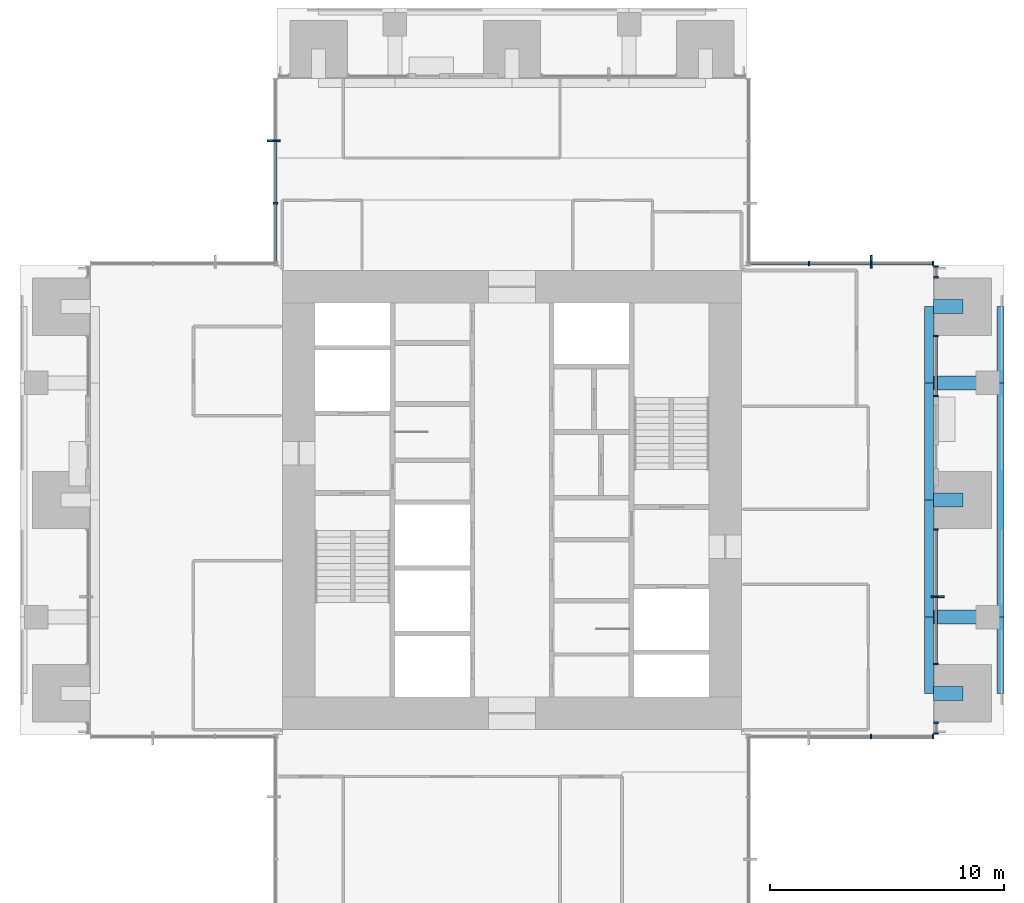
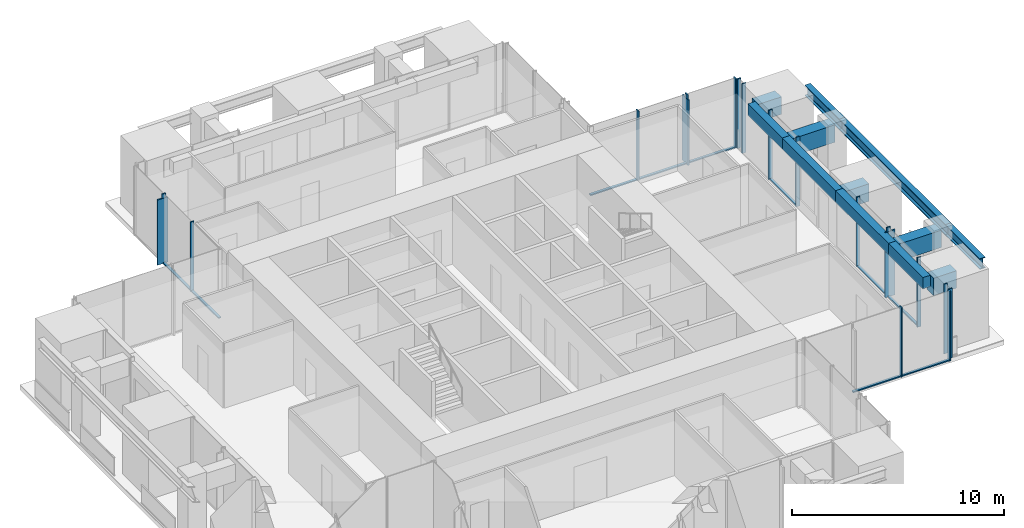
# One storey, part 4 of 17: 29 members, 12 beams, 7 elements without a shape of their own.
"""IFC4 building model written with IfcOpenShell, lengths in metres."""

import ifcopenshell
import ifcopenshell.guid

model = None  # the IFC model being written
_history = None  # IfcOwnerHistory: only IFC2X3 demands one
_inside = {}  # id of a spatial element -> (the spatial element, [elements in it])
_under = {}  # id of a project, library or spatial element -> (it, [spatial elements below it])
_declared = {}  # id of a project -> (the project, [libraries it declares])
_typed = {}  # id of a type object -> (the type object, [elements of that type])
_made_of = {}  # id of a material, layer set ... -> (it, [elements and type objects made of it])


def new_model(schema):
    """Start an empty IFC model of exactly this schema.

    Asked for "IFC4X3", IfcOpenShell would pick the latest addendum, in which some entities
    have other attributes; the version numbers below select the first issue.
    IFC2X3 requires an IfcOwnerHistory on every rooted entity: one is made here for all.
    """
    global model, _history
    if schema == "IFC4X3":
        model = ifcopenshell.file(schema_version=(4, 3, 0, 0))
    else:
        model = ifcopenshell.file(schema=schema)
    _inside.clear()
    _under.clear()
    _declared.clear()
    _typed.clear()
    _made_of.clear()
    _history = None
    if model.schema == "IFC2X3":
        org = make("IfcOrganization", Name="unknown")
        user = make(
            "IfcPersonAndOrganization",
            ThePerson=make("IfcPerson", FamilyName="unknown"),
            TheOrganization=org,
        )
        app = make(
            "IfcApplication",
            ApplicationDeveloper=org,
            Version="unknown",
            ApplicationFullName="unknown",
            ApplicationIdentifier="unknown",
        )
        _history = make(
            "IfcOwnerHistory",
            OwningUser=user,
            OwningApplication=app,
            ChangeAction="ADDED",
            CreationDate=0,
        )
    return model


def make(cls, **values):
    """One entity of the class cls with the attributes given. An attribute that is None is left unset."""
    return model.create_entity(
        cls, **{name: value for name, value in values.items() if value is not None}
    )


def rooted(cls, **values):
    """An entity with a GlobalId (a new one), such as an element, a storey or a relation."""
    return make(cls, GlobalId=ifcopenshell.guid.new(), OwnerHistory=_history, **values)


def si_unit(unit_type, name, prefix=None):
    """IfcSIUnit, for example si_unit("LENGTHUNIT", "METRE", prefix="MILLI")."""
    return make("IfcSIUnit", UnitType=unit_type, Prefix=prefix, Name=name)


def assignment(units):
    """IfcUnitAssignment: the units of a project."""
    return None if units is None else make("IfcUnitAssignment", Units=units)


def point(xyz):
    """IfcCartesianPoint."""
    return None if xyz is None else make("IfcCartesianPoint", Coordinates=xyz)


def direction(xyz):
    """IfcDirection."""
    return None if xyz is None else make("IfcDirection", DirectionRatios=xyz)


def frame(location, z_axis=None, x_axis=None):
    """IfcAxis2Placement3D, a coordinate frame: its origin and axes. An axis left out is left unset."""
    return make(
        "IfcAxis2Placement3D",
        Location=point(location),
        Axis=direction(z_axis),
        RefDirection=direction(x_axis),
    )


def frame_2d(location, x_axis=None):
    """IfcAxis2Placement2D, a coordinate frame in the plane: its origin and x axis."""
    return make(
        "IfcAxis2Placement2D", Location=point(location), RefDirection=direction(x_axis)
    )


def origin():
    """The frame at (0, 0, 0) with its axes left unset."""
    return frame((0.0, 0.0, 0.0))


def origin_2d():
    """The frame at (0, 0) in the plane with its x axis left unset."""
    return frame_2d((0.0, 0.0))


def place(relative_to, where):
    """IfcLocalPlacement: puts the frame where relative to a parent placement (None: the world)."""
    return make(
        "IfcLocalPlacement", PlacementRelTo=relative_to, RelativePlacement=where
    )


def context(
    kind, dimensions, precision=None, world=None, true_north=None, identifier=None
):
    """IfcGeometricRepresentationContext, for example the 3D "Model" context."""
    return make(
        "IfcGeometricRepresentationContext",
        ContextIdentifier=identifier,
        ContextType=kind,
        CoordinateSpaceDimension=dimensions,
        Precision=precision,
        WorldCoordinateSystem=world,
        TrueNorth=true_north,
    )


def subcontext(parent, identifier, kind, view, scale=None):
    """IfcGeometricRepresentationSubContext, for example "Body" below "Model"."""
    return make(
        "IfcGeometricRepresentationSubContext",
        ContextIdentifier=identifier,
        ContextType=kind,
        ParentContext=parent,
        TargetScale=scale,
        TargetView=view,
    )


def project(units=None, contexts=None):
    """IfcProject with its units and contexts."""
    return rooted(
        "IfcProject",
        Name="project",
        RepresentationContexts=contexts,
        UnitsInContext=assignment(units),
    )


def spatial(cls, under=None, at=None, **own):
    """A site, building, storey or space (cls), placed at a placement, below another one or the project."""
    s = rooted(cls, ObjectPlacement=at, **own)
    if under is not None:
        _under.setdefault(under.id(), (under, []))[1].append(s)
    return s


def profile(cls, at=None, kind="AREA", **sizes):
    """A parametric profile (cls). Its sizes go by their IFC names, for example OverallWidth=200.0."""
    return make(cls, ProfileType=kind, Position=at, **sizes)


def rectangle(**sizes):
    """IfcRectangleProfileDef."""
    return profile("IfcRectangleProfileDef", **sizes)


def i_section(**sizes):
    """IfcIShapeProfileDef."""
    return profile("IfcIShapeProfileDef", **sizes)


def extrude(swept, where, along, depth):
    """IfcExtrudedAreaSolid: the profile swept, set in the frame where, extruded along a direction by depth."""
    return make(
        "IfcExtrudedAreaSolid",
        SweptArea=swept,
        Position=where,
        ExtrudedDirection=direction(along),
        Depth=depth,
    )


def shape(context_of_items, identifier, shape_type, items):
    """IfcShapeRepresentation: the items that make up one representation, for example the "Body"."""
    return make(
        "IfcShapeRepresentation",
        ContextOfItems=context_of_items,
        RepresentationIdentifier=identifier,
        RepresentationType=shape_type,
        Items=items,
    )


def material(Name=None, Category=None):
    """IfcMaterial."""
    return make("IfcMaterial", Name=Name, Category=Category)


def material_profile(
    of_material, cross_section, Name=None, Category=None, Priority=None
):
    """IfcMaterialProfile: a cross section and its material."""
    return make(
        "IfcMaterialProfile",
        Name=Name,
        Material=of_material,
        Profile=cross_section,
        Priority=Priority,
        Category=Category,
    )


def profile_set(profiles, Name=None, composite=None):
    """IfcMaterialProfileSet."""
    return make(
        "IfcMaterialProfileSet",
        Name=Name,
        MaterialProfiles=profiles,
        CompositeProfile=composite,
    )


def made_of(thing, what):
    """Note that an element or type object is made of a material, layer set ...; save() writes the relation."""
    if what is not None:
        _made_of.setdefault(what.id(), (what, []))[1].append(thing)
    return thing


def type_object(cls, material=None, **own):
    """A type object (cls), such as IfcWallType, which elements share."""
    return made_of(rooted(cls, **own), material)


def element(
    cls,
    number,
    at=None,
    inside=None,
    cuts=None,
    type_object=None,
    material=None,
    context=None,
    identifier="Body",
    shape_type=None,
    held_by="IfcProductDefinitionShape",
    body=None,
    shapes=None,
    **own,
):
    """One element of the class cls, such as IfcWall. Its Tag is "e" and its number.

    at: its placement. inside: the storey or other place that contains it. cuts: it is an
    opening in that element (IfcRelVoidsElement). A single representation is given by context,
    identifier, shape_type and body (its items); several are given by shapes. held_by: the class
    of the entity that holds the representations. save() writes the other relations.
    """
    e = rooted(cls, Tag="e%d" % number, ObjectPlacement=at, **own)
    if body is not None:
        shapes = [shape(context, identifier, shape_type, body)]
    if shapes is not None:
        e.Representation = make(held_by, Representations=shapes)
    if inside is not None:
        _inside.setdefault(inside.id(), (inside, []))[1].append(e)
    if cuts is not None:
        rooted(
            "IfcRelVoidsElement", RelatingBuildingElement=cuts, RelatedOpeningElement=e
        )
    if type_object is not None:
        _typed.setdefault(type_object.id(), (type_object, []))[1].append(e)
    return made_of(e, material)


def aggregate(whole, parts):
    """IfcRelAggregates: a whole, such as a stair, and the parts it consists of."""
    return rooted("IfcRelAggregates", RelatingObject=whole, RelatedObjects=parts)


def save(model, path):
    """Write the relations noted so far, then the file.

    IfcRelAggregates (storeys below a building ...), IfcRelContainedInSpatialStructure (elements
    in a storey), IfcRelDefinesByType, IfcRelAssociatesMaterial and IfcRelDeclares: one each for
    every whole, place, type object, material and project.
    """
    for whole, parts in _under.values():
        aggregate(whole, parts)
    for where, things in _inside.values():
        rooted(
            "IfcRelContainedInSpatialStructure",
            RelatedElements=things,
            RelatingStructure=where,
        )
    for kind, things in _typed.values():
        rooted("IfcRelDefinesByType", RelatedObjects=things, RelatingType=kind)
    for what, things in _made_of.values():
        rooted("IfcRelAssociatesMaterial", RelatedObjects=things, RelatingMaterial=what)
    for by, libraries in _declared.values():
        rooted("IfcRelDeclares", RelatingContext=by, RelatedDefinitions=libraries)
    model.write(path)


model = new_model("IFC4")

# Units and contexts
model_context = context("Model", 3, precision=1e-05, world=origin(), true_north=direction((0.0, 1.0)))
body_context = subcontext(model_context, "Body", "Model", "MODEL_VIEW")
ifc_project = project(units=[si_unit("LENGTHUNIT", "METRE"), si_unit("AREAUNIT", "SQUARE_METRE"), si_unit("VOLUMEUNIT", "CUBIC_METRE"), si_unit("PLANEANGLEUNIT", "RADIAN"), si_unit("MASSUNIT", "GRAM", prefix="KILO")], contexts=[model_context])

# Site, building, storey
site_placement = place(None, origin())
site = spatial("IfcSite", under=ifc_project, at=site_placement, CompositionType="ELEMENT")
building_placement = place(site_placement, origin())
building = spatial("IfcBuilding", under=site, at=building_placement, Name="Svetlomir Tower", CompositionType="ELEMENT")
storey_placement = place(building_placement, frame((0.0, 0.0, 174.5)))
storey = spatial("IfcBuildingStorey", under=building, at=storey_placement, Name="L41", CompositionType="ELEMENT", Elevation=174.5)

# Curtain wall, member
ifc_material_1 = material(Name="Bronze anodised aluminium curtain wall", Category="aluminium")
curtain_wall_type = type_object("IfcCurtainWallType", Name="CURTAIN WALL CW1 TOWER OFFICE", PredefinedType="NOTDEFINED", material=ifc_material_1)
curtain_wall_1_placement = place(storey_placement, origin())
curtain_wall_1 = element("IfcCurtainWall", 1, at=curtain_wall_1_placement, inside=storey, type_object=curtain_wall_type, Name="Curtain wall CW1 L41", PredefinedType="NOTDEFINED")
ifc_material_2 = material(Name="Bronze anodised aluminium", Category="aluminium")
ifc_material_profile_1 = material_profile(ifc_material_2, rectangle(XDim=0.080078125, YDim=0.550048828125, at=origin_2d()), Name="FIN 80x550")
ifc_profile_set_1 = profile_set([ifc_material_profile_1], Name="Bronze anodised aluminium 6063-T6")
member_type_1 = type_object("IfcMemberType", Name="BRONZE FIN 80x550", PredefinedType="USERDEFINED", material=ifc_profile_set_1)
member_1_placement = place(storey_placement, frame((39.175048828125, 16.875, 0.0), z_axis=(0.0, 0.0, 1.0), x_axis=(0.0, 1.0, 0.0)))
member_1 = element("IfcMember", 2, at=member_1_placement, type_object=member_type_1, Name="Bronze fin L41", ObjectType="FIN", PredefinedType="USERDEFINED", context=body_context, shape_type="SweptSolid", body=[
    extrude(rectangle(XDim=0.080078125, YDim=0.550048828125, at=origin_2d()), origin(), (0.0, 0.0, 1.0), 3.75),
])

curtain_wall_2_placement = place(storey_placement, origin())
curtain_wall_2 = element("IfcCurtainWall", 3, at=curtain_wall_2_placement, inside=storey, type_object=curtain_wall_type, Name="Curtain wall CW1 L41", PredefinedType="NOTDEFINED")
member_2_placement = place(storey_placement, frame((36.333251953125, 31.175048828125, 0.0), z_axis=(0.0, 0.0, 1.0), x_axis=(1.0, 0.0, 0.0)))
member_2 = element("IfcMember", 4, at=member_2_placement, type_object=member_type_1, Name="Bronze fin L41", ObjectType="FIN", PredefinedType="USERDEFINED", context=body_context, shape_type="SweptSolid", body=[
    extrude(rectangle(XDim=0.080078125, YDim=0.550048828125, at=origin_2d()), origin(), (0.0, 0.0, 1.0), 3.75),
])

curtain_wall_3_placement = place(storey_placement, origin())
curtain_wall_3 = element("IfcCurtainWall", 5, at=curtain_wall_3_placement, inside=storey, type_object=curtain_wall_type, Name="Curtain wall CW1 L41", PredefinedType="NOTDEFINED")
member_3_placement = place(storey_placement, frame((10.824951171875, 36.333251953125, 0.0), z_axis=(0.0, 0.0, 1.0), x_axis=(0.0, 1.0, 0.0)))
member_3 = element("IfcMember", 6, at=member_3_placement, type_object=member_type_1, Name="Bronze fin L41", ObjectType="FIN", PredefinedType="USERDEFINED", context=body_context, shape_type="SweptSolid", body=[
    extrude(rectangle(XDim=0.080078125, YDim=0.550048828125, at=origin_2d()), origin(), (0.0, 0.0, 1.0), 3.75),
])

# Curtain wall, members
curtain_wall_4_placement = place(storey_placement, origin())
curtain_wall_4 = element("IfcCurtainWall", 7, at=curtain_wall_4_placement, inside=storey, type_object=curtain_wall_type, Name="Curtain wall CW1 L41", PredefinedType="NOTDEFINED")
ifc_material_3 = material(Name="Bronze anodised aluminium", Category="aluminium")
ifc_material_profile_2 = material_profile(ifc_material_3, rectangle(XDim=0.06494140625, YDim=0.199951171875, at=origin_2d()), Name="AL 65x200")
ifc_profile_set_2 = profile_set([ifc_material_profile_2], Name="Bronze anodised aluminium 6063-T6")
member_type_2 = type_object("IfcMemberType", Name="CW1 MULLION 65x200", PredefinedType="MULLION", material=ifc_profile_set_2)
member_4_placement = place(storey_placement, frame((36.333251953125, 10.89990234375, 0.0), z_axis=(0.0, 0.0, 1.0), x_axis=(1.0, 0.0, 0.0)))
member_4 = element("IfcMember", 8, at=member_4_placement, type_object=member_type_2, Name="CW1 mullion 3", PredefinedType="MULLION", context=body_context, shape_type="SweptSolid", body=[
    extrude(rectangle(XDim=0.06494140625, YDim=0.199951171875, at=origin_2d()), origin(), (0.0, 0.0, 1.0), 4.0),
])
member_5_placement = place(storey_placement, frame((38.967529296875, 10.89990234375, 0.0), z_axis=(0.0, 0.0, 1.0), x_axis=(1.0, 0.0, 0.0)))
member_5 = element("IfcMember", 9, at=member_5_placement, type_object=member_type_2, Name="CW1 mullion 4", PredefinedType="MULLION", context=body_context, shape_type="SweptSolid", body=[
    extrude(rectangle(XDim=0.06494140625, YDim=0.199951171875, at=origin_2d()), origin(), (0.0, 0.0, 1.0), 4.0),
])

curtain_wall_5_placement = place(storey_placement, origin())
curtain_wall_5 = element("IfcCurtainWall", 10, at=curtain_wall_5_placement, inside=storey, type_object=curtain_wall_type, Name="Curtain wall CW1 L41", PredefinedType="NOTDEFINED")
member_6_placement = place(storey_placement, frame((39.10009765625, 11.032470703125, 0.0), z_axis=(0.0, 0.0, 1.0), x_axis=(0.0, 1.0, 0.0)))
member_6 = element("IfcMember", 11, at=member_6_placement, type_object=member_type_2, Name="CW1 mullion 1", PredefinedType="MULLION", context=body_context, shape_type="SweptSolid", body=[
    extrude(rectangle(XDim=0.06494140625, YDim=0.199951171875, at=origin_2d()), origin(), (0.0, 0.0, 1.0), 4.0),
])
member_7_placement = place(storey_placement, frame((39.10009765625, 11.492431640625, 0.0), z_axis=(0.0, 0.0, 1.0), x_axis=(0.0, 1.0, 0.0)))
member_7 = element("IfcMember", 12, at=member_7_placement, type_object=member_type_2, Name="CW1 mullion 2", PredefinedType="MULLION", context=body_context, shape_type="SweptSolid", body=[
    extrude(rectangle(XDim=0.06494140625, YDim=0.199951171875, at=origin_2d()), origin(), (0.0, 0.0, 1.0), 4.0),
])
aggregate(curtain_wall_5, [member_6, member_7])

# Member
member_8_placement = place(storey_placement, frame((39.10009765625, 14.007568359375, 0.0), z_axis=(0.0, 0.0, 1.0), x_axis=(0.0, 1.0, 0.0)))
member_8 = element("IfcMember", 13, at=member_8_placement, type_object=member_type_2, Name="CW1 mullion 1", PredefinedType="MULLION", context=body_context, shape_type="SweptSolid", body=[
    extrude(rectangle(XDim=0.06494140625, YDim=0.199951171875, at=origin_2d()), origin(), (0.0, 0.0, 1.0), 4.0),
])

member_9_placement = place(storey_placement, frame((39.10009765625, 16.875, 0.0), z_axis=(0.0, 0.0, 1.0), x_axis=(0.0, 1.0, 0.0)))
member_9 = element("IfcMember", 14, at=member_9_placement, type_object=member_type_2, Name="CW1 mullion 2", PredefinedType="MULLION", context=body_context, shape_type="SweptSolid", body=[
    extrude(rectangle(XDim=0.06494140625, YDim=0.199951171875, at=origin_2d()), origin(), (0.0, 0.0, 1.0), 4.0),
])

member_10_placement = place(storey_placement, frame((39.10009765625, 19.742431640625, 0.0), z_axis=(0.0, 0.0, 1.0), x_axis=(0.0, 1.0, 0.0)))
member_10 = element("IfcMember", 15, at=member_10_placement, type_object=member_type_2, Name="CW1 mullion 3", PredefinedType="MULLION", context=body_context, shape_type="SweptSolid", body=[
    extrude(rectangle(XDim=0.06494140625, YDim=0.199951171875, at=origin_2d()), origin(), (0.0, 0.0, 1.0), 4.0),
])

# Curtain wall, members
curtain_wall_6_placement = place(storey_placement, origin())
curtain_wall_6 = element("IfcCurtainWall", 16, at=curtain_wall_6_placement, inside=storey, type_object=curtain_wall_type, Name="Curtain wall CW1 L41", PredefinedType="NOTDEFINED")
member_11_placement = place(storey_placement, frame((39.10009765625, 25.4326171875, 0.0), z_axis=(0.0, 0.0, 1.0), x_axis=(0.0, 1.0, 0.0)))
member_11 = element("IfcMember", 17, at=member_11_placement, type_object=member_type_2, Name="CW1 mullion 1", PredefinedType="MULLION", context=body_context, shape_type="SweptSolid", body=[
    extrude(rectangle(XDim=0.06494140625, YDim=0.199951171875, at=origin_2d()), origin(), (0.0, 0.0, 1.0), 4.0),
])
member_12_placement = place(storey_placement, frame((39.10009765625, 27.992431640625, 0.0), z_axis=(0.0, 0.0, 1.0), x_axis=(0.0, 1.0, 0.0)))
member_12 = element("IfcMember", 18, at=member_12_placement, type_object=member_type_2, Name="CW1 mullion 2", PredefinedType="MULLION", context=body_context, shape_type="SweptSolid", body=[
    extrude(rectangle(XDim=0.06494140625, YDim=0.199951171875, at=origin_2d()), origin(), (0.0, 0.0, 1.0), 4.0),
])

curtain_wall_7_placement = place(storey_placement, origin())
curtain_wall_7 = element("IfcCurtainWall", 19, at=curtain_wall_7_placement, inside=storey, type_object=curtain_wall_type, Name="Curtain wall CW1 L41", PredefinedType="NOTDEFINED")
member_13_placement = place(storey_placement, frame((39.10009765625, 30.507568359375, 0.0), z_axis=(0.0, 0.0, 1.0), x_axis=(0.0, 1.0, 0.0)))
member_13 = element("IfcMember", 20, at=member_13_placement, type_object=member_type_2, Name="CW1 mullion 1", PredefinedType="MULLION", context=body_context, shape_type="SweptSolid", body=[
    extrude(rectangle(XDim=0.06494140625, YDim=0.199951171875, at=origin_2d()), origin(), (0.0, 0.0, 1.0), 4.0),
])
member_14_placement = place(storey_placement, frame((39.10009765625, 30.967529296875, 0.0), z_axis=(0.0, 0.0, 1.0), x_axis=(0.0, 1.0, 0.0)))
member_14 = element("IfcMember", 21, at=member_14_placement, type_object=member_type_2, Name="CW1 mullion 2", PredefinedType="MULLION", context=body_context, shape_type="SweptSolid", body=[
    extrude(rectangle(XDim=0.06494140625, YDim=0.199951171875, at=origin_2d()), origin(), (0.0, 0.0, 1.0), 4.0),
])
aggregate(curtain_wall_7, [member_13, member_14])

# Member
member_15_placement = place(storey_placement, frame((38.967529296875, 31.10009765625, 0.0), z_axis=(0.0, 0.0, 1.0), x_axis=(-1.0, 0.0, 0.0)))
member_15 = element("IfcMember", 22, at=member_15_placement, type_object=member_type_2, Name="CW1 mullion 1", PredefinedType="MULLION", context=body_context, shape_type="SweptSolid", body=[
    extrude(rectangle(XDim=0.06494140625, YDim=0.199951171875, at=origin_2d()), origin(), (0.0, 0.0, 1.0), 4.0),
])

member_16_placement = place(storey_placement, frame((36.333251953125, 31.10009765625, 0.0), z_axis=(0.0, 0.0, 1.0), x_axis=(-1.0, 0.0, 0.0)))
member_16 = element("IfcMember", 23, at=member_16_placement, type_object=member_type_2, Name="CW1 mullion 2", PredefinedType="MULLION", context=body_context, shape_type="SweptSolid", body=[
    extrude(rectangle(XDim=0.06494140625, YDim=0.199951171875, at=origin_2d()), origin(), (0.0, 0.0, 1.0), 4.0),
])

member_17_placement = place(storey_placement, frame((33.666748046875, 31.10009765625, 0.0), z_axis=(0.0, 0.0, 1.0), x_axis=(-1.0, 0.0, 0.0)))
member_17 = element("IfcMember", 24, at=member_17_placement, type_object=member_type_2, Name="CW1 mullion 3", PredefinedType="MULLION", context=body_context, shape_type="SweptSolid", body=[
    extrude(rectangle(XDim=0.06494140625, YDim=0.199951171875, at=origin_2d()), origin(), (0.0, 0.0, 1.0), 4.0),
])

member_18_placement = place(storey_placement, frame((10.89990234375, 36.333251953125, 0.0), z_axis=(0.0, 0.0, 1.0), x_axis=(0.0, -1.0, 0.0)))
member_18 = element("IfcMember", 25, at=member_18_placement, type_object=member_type_2, Name="CW1 mullion 2", PredefinedType="MULLION", context=body_context, shape_type="SweptSolid", body=[
    extrude(rectangle(XDim=0.06494140625, YDim=0.199951171875, at=origin_2d()), origin(), (0.0, 0.0, 1.0), 4.0),
])

member_19_placement = place(storey_placement, frame((10.89990234375, 33.666748046875, 0.0), z_axis=(0.0, 0.0, 1.0), x_axis=(0.0, -1.0, 0.0)))
member_19 = element("IfcMember", 26, at=member_19_placement, type_object=member_type_2, Name="CW1 mullion 3", PredefinedType="MULLION", context=body_context, shape_type="SweptSolid", body=[
    extrude(rectangle(XDim=0.06494140625, YDim=0.199951171875, at=origin_2d()), origin(), (0.0, 0.0, 1.0), 4.0),
])

ifc_material_4 = material(Name="Bronze anodised aluminium", Category="aluminium")
ifc_material_profile_3 = material_profile(ifc_material_4, rectangle(XDim=0.139892578125, YDim=0.06494140625, at=origin_2d()), Name="AL 140x65")
ifc_profile_set_3 = profile_set([ifc_material_profile_3], Name="Bronze anodised aluminium 6063-T6")
member_type_3 = type_object("IfcMemberType", Name="CW1 TRANSOM 65x140", PredefinedType="USERDEFINED", material=ifc_profile_set_3)
member_20_placement = place(storey_placement, frame((33.69921875, 10.89990234375, 0.032470703125), z_axis=(1.0, 0.0, 0.0), x_axis=(0.0, 1.0, 0.0)))
member_20 = element("IfcMember", 27, at=member_20_placement, type_object=member_type_3, Name="CW1 transom 2.1", ObjectType="TRANSOM", PredefinedType="USERDEFINED", context=body_context, shape_type="SweptSolid", body=[
    extrude(rectangle(XDim=0.139892578125, YDim=0.06494140625, at=origin_2d()), origin(), (0.0, 0.0, 1.0), 2.6015625),
])

member_21_placement = place(storey_placement, frame((36.36572265625, 10.89990234375, 0.032470703125), z_axis=(1.0, 0.0, 0.0), x_axis=(0.0, 1.0, 0.0)))
member_21 = element("IfcMember", 28, at=member_21_placement, type_object=member_type_3, Name="CW1 transom 3.1", ObjectType="TRANSOM", PredefinedType="USERDEFINED", context=body_context, shape_type="SweptSolid", body=[
    extrude(rectangle(XDim=0.139892578125, YDim=0.06494140625, at=origin_2d()), origin(), (0.0, 0.0, 1.0), 2.5693359375),
])

aggregate(curtain_wall_4, [member_4, member_5, member_20, member_21])

member_22_placement = place(storey_placement, frame((39.10009765625, 14.0400390625, 0.032470703125), z_axis=(0.0, 1.0, 0.0), x_axis=(-1.0, 0.0, 0.0)))
member_22 = element("IfcMember", 29, at=member_22_placement, type_object=member_type_3, Name="CW1 transom 1.1", ObjectType="TRANSOM", PredefinedType="USERDEFINED", context=body_context, shape_type="SweptSolid", body=[
    extrude(rectangle(XDim=0.139892578125, YDim=0.06494140625, at=origin_2d()), origin(), (0.0, 0.0, 1.0), 2.802490234375),
])

member_23_placement = place(storey_placement, frame((39.10009765625, 16.907470703125, 0.032470703125), z_axis=(0.0, 1.0, 0.0), x_axis=(-1.0, 0.0, 0.0)))
member_23 = element("IfcMember", 30, at=member_23_placement, type_object=member_type_3, Name="CW1 transom 2.1", ObjectType="TRANSOM", PredefinedType="USERDEFINED", context=body_context, shape_type="SweptSolid", body=[
    extrude(rectangle(XDim=0.139892578125, YDim=0.06494140625, at=origin_2d()), origin(), (0.0, 0.0, 1.0), 2.802490234375),
])

aggregate(curtain_wall_1, [member_8, member_9, member_10, member_22, member_23, member_1])

member_24_placement = place(storey_placement, frame((39.10009765625, 25.465087890625, 0.032470703125), z_axis=(0.0, 1.0, 0.0), x_axis=(-1.0, 0.0, 0.0)))
member_24 = element("IfcMember", 31, at=member_24_placement, type_object=member_type_3, Name="CW1 transom 1.1", ObjectType="TRANSOM", PredefinedType="USERDEFINED", context=body_context, shape_type="SweptSolid", body=[
    extrude(rectangle(XDim=0.139892578125, YDim=0.06494140625, at=origin_2d()), origin(), (0.0, 0.0, 1.0), 2.494873046875),
])

aggregate(curtain_wall_6, [member_11, member_12, member_24])

member_25_placement = place(storey_placement, frame((38.93505859375, 31.10009765625, 0.032470703125), z_axis=(-1.0, 0.0, 0.0), x_axis=(0.0, -1.0, 0.0)))
member_25 = element("IfcMember", 32, at=member_25_placement, type_object=member_type_3, Name="CW1 transom 1.1", ObjectType="TRANSOM", PredefinedType="USERDEFINED", context=body_context, shape_type="SweptSolid", body=[
    extrude(rectangle(XDim=0.139892578125, YDim=0.06494140625, at=origin_2d()), origin(), (0.0, 0.0, 1.0), 2.5693359375),
])

member_26_placement = place(storey_placement, frame((36.30078125, 31.10009765625, 0.032470703125), z_axis=(-1.0, 0.0, 0.0), x_axis=(0.0, -1.0, 0.0)))
member_26 = element("IfcMember", 33, at=member_26_placement, type_object=member_type_3, Name="CW1 transom 2.1", ObjectType="TRANSOM", PredefinedType="USERDEFINED", context=body_context, shape_type="SweptSolid", body=[
    extrude(rectangle(XDim=0.139892578125, YDim=0.06494140625, at=origin_2d()), origin(), (0.0, 0.0, 1.0), 2.6015625),
])

member_27_placement = place(storey_placement, frame((33.63427734375, 31.10009765625, 0.032470703125), z_axis=(-1.0, 0.0, 0.0), x_axis=(0.0, -1.0, 0.0)))
member_27 = element("IfcMember", 34, at=member_27_placement, type_object=member_type_3, Name="CW1 transom 3.1", ObjectType="TRANSOM", PredefinedType="USERDEFINED", context=body_context, shape_type="SweptSolid", body=[
    extrude(rectangle(XDim=0.139892578125, YDim=0.06494140625, at=origin_2d()), origin(), (0.0, 0.0, 1.0), 2.5693359375),
])

aggregate(curtain_wall_2, [member_15, member_16, member_17, member_25, member_26, member_27, member_2])

member_28_placement = place(storey_placement, frame((10.89990234375, 36.30078125, 0.032470703125), z_axis=(0.0, -1.0, 0.0), x_axis=(1.0, 0.0, 0.0)))
member_28 = element("IfcMember", 35, at=member_28_placement, type_object=member_type_3, Name="CW1 transom 2.1", ObjectType="TRANSOM", PredefinedType="USERDEFINED", context=body_context, shape_type="SweptSolid", body=[
    extrude(rectangle(XDim=0.139892578125, YDim=0.06494140625, at=origin_2d()), origin(), (0.0, 0.0, 1.0), 2.6015625),
])

member_29_placement = place(storey_placement, frame((10.89990234375, 33.63427734375, 0.032470703125), z_axis=(0.0, -1.0, 0.0), x_axis=(1.0, 0.0, 0.0)))
member_29 = element("IfcMember", 36, at=member_29_placement, type_object=member_type_3, Name="CW1 transom 3.1", ObjectType="TRANSOM", PredefinedType="USERDEFINED", context=body_context, shape_type="SweptSolid", body=[
    extrude(rectangle(XDim=0.139892578125, YDim=0.06494140625, at=origin_2d()), origin(), (0.0, 0.0, 1.0), 2.5693359375),
])

aggregate(curtain_wall_3, [member_18, member_19, member_28, member_29, member_3])

# Beams
ifc_material_5 = material(Name="Steel S355", Category="steel")
ifc_material_profile_4 = material_profile(ifc_material_5, i_section(OverallWidth=0.304931640625, OverallDepth=0.6201171875, WebThickness=0.02099609375, FlangeThickness=0.0400390625, FilletRadius=0.027099609375, at=origin_2d()), Name="HEM 600")
ifc_profile_set_4 = profile_set([ifc_material_profile_4], Name="Steel S355")
beam_type_1 = type_object("IfcBeamType", Name="EDGE BEAM HEM 600", PredefinedType="SPANDREL", material=ifc_profile_set_4)
beam_1_placement = place(storey_placement, frame((41.847412109375, 12.75, 3.43994140625), z_axis=(0.0, 1.0, 0.0), x_axis=(-1.0, 0.0, 0.0)))
element("IfcBeam", 37, at=beam_1_placement, inside=storey, type_object=beam_type_1, Name="Edge beam 42/11 to 42/16 under L42", PredefinedType="SPANDREL", context=body_context, shape_type="SweptSolid", body=[
    extrude(i_section(OverallWidth=0.304931640625, OverallDepth=0.6201171875, WebThickness=0.02099609375, FlangeThickness=0.0400390625, FilletRadius=0.027099609375, at=origin_2d()), origin(), (0.0, 0.0, 1.0), 3.25),
])
beam_2_placement = place(storey_placement, frame((41.847412109375, 16.0, 3.43994140625), z_axis=(0.0, 1.0, 0.0), x_axis=(-1.0, 0.0, 0.0)))
element("IfcBeam", 38, at=beam_2_placement, inside=storey, type_object=beam_type_1, Name="Edge beam 42/16 to 42/26 under L42", PredefinedType="SPANDREL", context=body_context, shape_type="SweptSolid", body=[
    extrude(i_section(OverallWidth=0.304931640625, OverallDepth=0.6201171875, WebThickness=0.02099609375, FlangeThickness=0.0400390625, FilletRadius=0.027099609375, at=origin_2d()), origin(), (0.0, 0.0, 1.0), 10.0),
])
beam_3_placement = place(storey_placement, frame((41.847412109375, 26.0, 3.43994140625), z_axis=(0.0, 1.0, 0.0), x_axis=(-1.0, 0.0, 0.0)))
element("IfcBeam", 39, at=beam_3_placement, inside=storey, type_object=beam_type_1, Name="Edge beam 42/26 to 42/31 under L42", PredefinedType="SPANDREL", context=body_context, shape_type="SweptSolid", body=[
    extrude(i_section(OverallWidth=0.304931640625, OverallDepth=0.6201171875, WebThickness=0.02099609375, FlangeThickness=0.0400390625, FilletRadius=0.027099609375, at=origin_2d()), origin(), (0.0, 0.0, 1.0), 3.25),
])
ifc_material_6 = material(Name="Concrete C60/75", Category="concrete")
ifc_material_profile_5 = material_profile(ifc_material_6, rectangle(XDim=0.39990234375, YDim=0.64990234375, at=origin_2d()), Name="RC 400x650")
ifc_profile_set_5 = profile_set([ifc_material_profile_5], Name="Concrete C60/75")
beam_type_2 = type_object("IfcBeamType", Name="FACADE EDGE BEAM RC 400x650", PredefinedType="BEAM", material=ifc_profile_set_5)
beam_4_placement = place(storey_placement, frame((38.800048828125, 12.75, 3.425048828125), z_axis=(0.0, 1.0, 0.0), x_axis=(-1.0, 0.0, 0.0)))
element("IfcBeam", 40, at=beam_4_placement, inside=storey, type_object=beam_type_2, Name="Facade edge beam E 11 to 16 under L42", PredefinedType="BEAM", context=body_context, shape_type="SweptSolid", body=[
    extrude(rectangle(XDim=0.39990234375, YDim=0.64990234375, at=origin_2d()), origin(), (0.0, 0.0, 1.0), 3.25),
])
for number, where, z_axis, x_axis, name in (
    (41, (38.800048828125, 16.0, 3.425048828125), (0.0, 1.0, 0.0), (-1.0, 0.0, 0.0), "Facade edge beam E 16 to 21 under L42"),
    (42, (38.800048828125, 21.0, 3.425048828125), (0.0, 1.0, 0.0), (-1.0, 0.0, 0.0), "Facade edge beam E 21 to 26 under L42"),
):
    element("IfcBeam", number, at=place(storey_placement, frame(where, z_axis=z_axis, x_axis=x_axis)), inside=storey, type_object=beam_type_2, Name=name, PredefinedType="BEAM", context=body_context, shape_type="SweptSolid", body=[
        extrude(rectangle(XDim=0.39990234375, YDim=0.64990234375, at=origin_2d()), origin(), (0.0, 0.0, 1.0), 5.0),
    ])
beam_5_placement = place(storey_placement, frame((38.800048828125, 26.0, 3.425048828125), z_axis=(0.0, 1.0, 0.0), x_axis=(-1.0, 0.0, 0.0)))
element("IfcBeam", 43, at=beam_5_placement, inside=storey, type_object=beam_type_2, Name="Facade edge beam E 26 to 31 under L42", PredefinedType="BEAM", context=body_context, shape_type="SweptSolid", body=[
    extrude(rectangle(XDim=0.39990234375, YDim=0.64990234375, at=origin_2d()), origin(), (0.0, 0.0, 1.0), 3.25),
])
ifc_material_7 = material(Name="Concrete C60/75", Category="concrete")
ifc_material_profile_6 = material_profile(ifc_material_7, rectangle(XDim=0.60009765625, YDim=1.0, at=origin_2d()), Name="RC 600x1000")
ifc_profile_set_6 = profile_set([ifc_material_profile_6], Name="Concrete C60/75")
beam_type_3 = type_object("IfcBeamType", Name="LOGGIA LINK BEAM RC 600x1000", PredefinedType="BEAM", material=ifc_profile_set_6)
beam_6_placement = place(storey_placement, frame((40.25, 12.75, 3.25), z_axis=(-1.0, 0.0, 0.0), x_axis=(0.0, -1.0, 0.0)))
element("IfcBeam", 44, at=beam_6_placement, inside=storey, type_object=beam_type_3, Name="Loggia link beam E 11 under L42", PredefinedType="BEAM", context=body_context, shape_type="SweptSolid", body=[
    extrude(rectangle(XDim=0.60009765625, YDim=1.0, at=origin_2d()), origin(), (0.0, 0.0, 1.0), 1.25),
])
beam_7_placement = place(storey_placement, frame((41.300048828125, 16.0, 3.25), z_axis=(-1.0, 0.0, 0.0), x_axis=(0.0, -1.0, 0.0)))
element("IfcBeam", 45, at=beam_7_placement, inside=storey, type_object=beam_type_3, Name="Loggia link beam E 16 under L42", PredefinedType="BEAM", context=body_context, shape_type="SweptSolid", body=[
    extrude(rectangle(XDim=0.60009765625, YDim=1.0, at=origin_2d()), origin(), (0.0, 0.0, 1.0), 2.300048828125),
])
beam_8_placement = place(storey_placement, frame((40.25, 21.0, 3.25), z_axis=(-1.0, 0.0, 0.0), x_axis=(0.0, -1.0, 0.0)))
element("IfcBeam", 46, at=beam_8_placement, inside=storey, type_object=beam_type_3, Name="Loggia link beam E 21 under L42", PredefinedType="BEAM", context=body_context, shape_type="SweptSolid", body=[
    extrude(rectangle(XDim=0.60009765625, YDim=1.0, at=origin_2d()), origin(), (0.0, 0.0, 1.0), 1.25),
])
beam_9_placement = place(storey_placement, frame((41.300048828125, 26.0, 3.25), z_axis=(-1.0, 0.0, 0.0), x_axis=(0.0, -1.0, 0.0)))
element("IfcBeam", 47, at=beam_9_placement, inside=storey, type_object=beam_type_3, Name="Loggia link beam E 26 under L42", PredefinedType="BEAM", context=body_context, shape_type="SweptSolid", body=[
    extrude(rectangle(XDim=0.60009765625, YDim=1.0, at=origin_2d()), origin(), (0.0, 0.0, 1.0), 2.300048828125),
])
beam_10_placement = place(storey_placement, frame((40.25, 29.25, 3.25), z_axis=(-1.0, 0.0, 0.0), x_axis=(0.0, -1.0, 0.0)))
element("IfcBeam", 48, at=beam_10_placement, inside=storey, type_object=beam_type_3, Name="Loggia link beam E 31 under L42", PredefinedType="BEAM", context=body_context, shape_type="SweptSolid", body=[
    extrude(rectangle(XDim=0.60009765625, YDim=1.0, at=origin_2d()), origin(), (0.0, 0.0, 1.0), 1.25),
])

save(model, "model.ifc")
